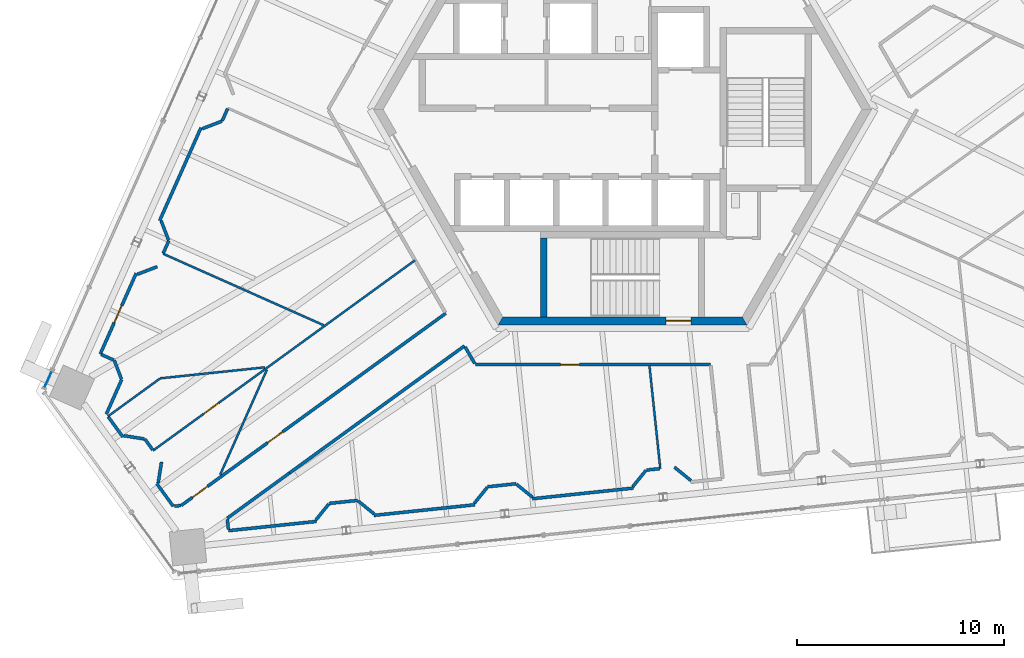
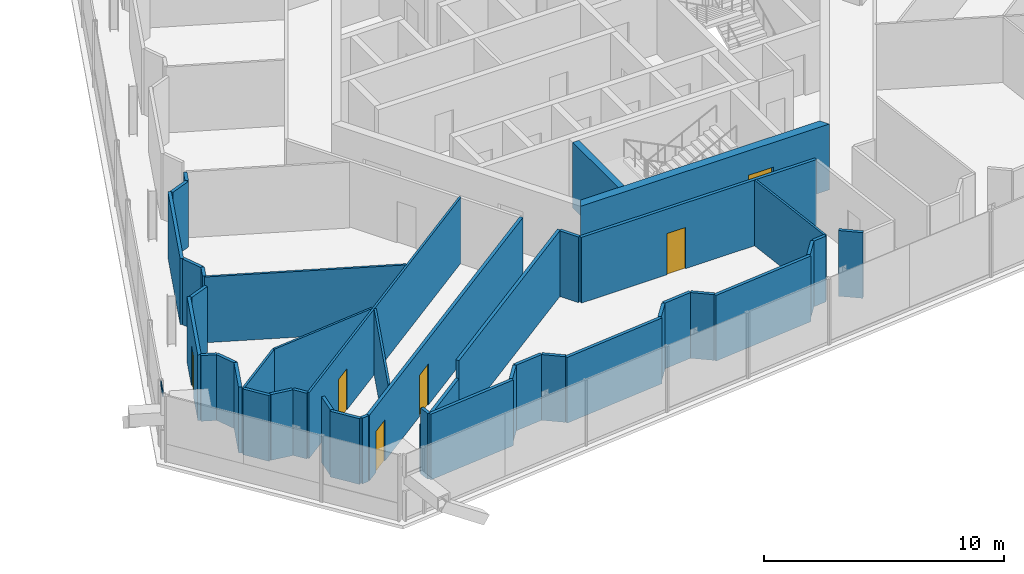
# One storey, part 15 of 26: 42 walls, 6 doors, 1 plate, 6 openings, 1 element without a shape of its own.
"""IFC4 building model written with IfcOpenShell, lengths in metres."""

from ifc_helpers import new_model, si_unit, direction, frame, frame_2d, origin, origin_2d, place, context, subcontext, project, spatial, polyline, rectangle, outline, extrude, source, transform, mapped, material, layer, layer_set, type_object, element, fill, aggregate, save


model = new_model("IFC4")

# Units and contexts
model_context = context("Model", 3, precision=1e-05, world=origin(), true_north=direction((0.0, 1.0)))
body_context = subcontext(model_context, "Body", "Model", "MODEL_VIEW")
ifc_project = project(units=[si_unit("LENGTHUNIT", "METRE"), si_unit("AREAUNIT", "SQUARE_METRE"), si_unit("VOLUMEUNIT", "CUBIC_METRE"), si_unit("PLANEANGLEUNIT", "RADIAN"), si_unit("MASSUNIT", "GRAM", prefix="KILO")], contexts=[model_context])

# Site, building, storey
site_placement = place(None, origin())
site = spatial("IfcSite", under=ifc_project, at=site_placement, CompositionType="ELEMENT")
building_placement = place(site_placement, origin())
building = spatial("IfcBuilding", under=site, at=building_placement, Name="Triune Harvest Tower", CompositionType="ELEMENT")
storey_placement = place(building_placement, frame((0.0, 0.0, 252.10009765625)))
storey = spatial("IfcBuildingStorey", under=building, at=storey_placement, Name="L66", CompositionType="ELEMENT", Elevation=252.10009765625)

# Curtain wall, plate
ifc_material_1 = material(Name="Aluminium bronze anodised", Category="aluminium")
curtain_wall_type = type_object("IfcCurtainWallType", Name="CW-1 Tower stick curtain wall", PredefinedType="NOTDEFINED", material=ifc_material_1)
curtain_wall_placement = place(storey_placement, origin())
curtain_wall = element("IfcCurtainWall", 1, at=curtain_wall_placement, inside=storey, type_object=curtain_wall_type, Name="CW-1 B6-F3 L66 run 401")
ifc_material_2 = material(Name="Glass", Category="glass")
ifc_layer_1 = layer(ifc_material_2, 0.031982421875)
ifc_layer_set_1 = layer_set([ifc_layer_1], Name="Glass")
plate_type = type_object("IfcPlateType", Name="GL-1 panel 32", PredefinedType="CURTAIN_PANEL", material=ifc_layer_set_1)
plate_placement = place(storey_placement, frame((-27.69091796875, -13.013916015625, 3.134765625), z_axis=(0.0, 0.0, 1.0), x_axis=(-0.406715509478, -0.913554866634, 0.0)))
plate = element("IfcPlate", 2, at=plate_placement, type_object=plate_type, Name="CW-1 panel B6-F3 401.1", PredefinedType="CURTAIN_PANEL", context=body_context, shape_type="SweptSolid", body=[
    extrude(rectangle(XDim=0.8466796875, YDim=0.031982421875, at=origin_2d()), origin(), (0.0, 0.0, 1.0), 0.215087890625),
])
aggregate(curtain_wall, [plate])

# Walls
ifc_material_3 = material(Name="Gypsum board on steel studs", Category="steel")
ifc_layer_2 = layer(ifc_material_3, 0.14990234375)
ifc_layer_set_2 = layer_set([ifc_layer_2], Name="Gypsum board on steel studs")
wall_type_1 = type_object("IfcWallType", Name="Fire Partition 150 mm", PredefinedType="PARTITIONING", material=ifc_layer_set_2)
wall_1_placement = place(storey_placement, frame((-19.048095703125, -19.751220703125, 0.0), z_axis=(0.0, 0.0, 1.0), x_axis=(0.104659444829, -0.994508119931, 0.0)))
element("IfcWall", 3, at=wall_1_placement, inside=storey, type_object=wall_type_1, Name="Partition L66 001", PredefinedType="PARTITIONING", context=body_context, shape_type="SweptSolid", body=[
    extrude(rectangle(XDim=0.50146484375, YDim=0.14990234375, at=frame_2d((0.250732421875, 0.0))), origin(), (0.0, 0.0, 1.0), 3.349853515625),
])
wall_2_placement = place(storey_placement, frame((-24.788818359375, -14.812744140625, 0.0), z_axis=(0.0, 0.0, 1.0), x_axis=(0.58775932875, -0.809035828297, 0.0)))
element("IfcWall", 4, at=wall_2_placement, inside=storey, type_object=wall_type_1, Name="Partition L66 024", PredefinedType="PARTITIONING", context=body_context, shape_type="SweptSolid", body=[
    extrude(rectangle(XDim=1.197021484375, YDim=0.14990234375, at=frame_2d((0.5986328125, 0.0))), origin(), (0.0, 0.0, 1.0), 3.349853515625),
])
wall_3_placement = place(storey_placement, frame((-23.024169921875, -15.88330078125, 0.0), z_axis=(0.0, 0.0, 1.0), x_axis=(0.587795827483, -0.809009310944, 0.0)))
element("IfcWall", 5, at=wall_3_placement, inside=storey, type_object=wall_type_1, Name="Partition L66 026", PredefinedType="PARTITIONING", context=body_context, shape_type="SweptSolid", body=[
    extrude(rectangle(XDim=0.65673828125, YDim=0.14990234375, at=frame_2d((0.328369140625, 0.0))), origin(), (0.0, 0.0, 1.0), 3.349853515625),
])

# Wall, opening, door
wall_4_placement = place(storey_placement, frame((-7.096923828125, -12.292236328125, 0.0), z_axis=(0.0, 0.0, 1.0), x_axis=(1.0, 0.0, 0.0)))
wall_4 = element("IfcWall", 6, at=wall_4_placement, inside=storey, type_object=wall_type_1, Name="Partition L66 066", PredefinedType="PARTITIONING", context=body_context, shape_type="SweptSolid", body=[
    extrude(rectangle(XDim=11.3447265625, YDim=0.14990234375, at=frame_2d((5.67236328125, 0.0))), origin(), (0.0, 0.0, 1.0), 3.349853515625),
])
opening_1_placement = place(wall_4_placement, frame((4.1171875, 0.0, 0.0)))
opening_1 = element("IfcOpeningElement", 7, at=opening_1_placement, cuts=wall_4, Name="Opening L66-022", PredefinedType="OPENING", context=body_context, shape_type="SweptSolid", body=[
    extrude(rectangle(XDim=0.89990234375, YDim=2.10009765625, at=frame_2d((0.449951171875, 1.050048828125))), frame((0.0, 0.0849609375, 0.0), z_axis=(0.0, -1.0, 0.0), x_axis=(1.0, 0.0, 0.0)), (0.0, 0.0, 1.0), 0.169921875),
])
ifc_material_4 = material(Name="Timber and steel door set", Category="steel")
door_type_1 = type_object("IfcDoorType", Name="Single leaf door FD30 right hand 900 x 2100", OperationType="SINGLE_SWING_RIGHT", PredefinedType="DOOR", material=ifc_material_4)
door_1_placement = place(opening_1_placement, origin())
door_1 = element("IfcDoor", 8, at=door_1_placement, inside=storey, type_object=door_type_1, Name="Door L66-022 Open Office 66.22", OperationType="SINGLE_SWING_RIGHT", OverallHeight=2.10009765625, OverallWidth=0.89990234375, PredefinedType="DOOR", context=body_context, shape_type="SweptSolid", body=[
    extrude(rectangle(XDim=0.89990234375, YDim=2.10009765625, at=frame_2d((0.449951171875, 1.050048828125))), frame((0.0, 0.02490234375, 0.0), z_axis=(0.0, -1.0, 0.0), x_axis=(1.0, 0.0, 0.0)), (0.0, 0.0, 1.0), 0.050048828125),
])
fill(opening_1, door_1)

# Walls
wall_5_placement = place(storey_placement, frame((1.16943359375, -17.3779296875, 0.0), z_axis=(0.0, 0.0, 1.0), x_axis=(0.994539539625, 0.104360452866, 0.0)))
element("IfcWall", 9, at=wall_5_placement, inside=storey, type_object=wall_type_1, Name="Partition L66 079", PredefinedType="PARTITIONING", context=body_context, shape_type="SweptSolid", body=[
    extrude(rectangle(XDim=0.626953125, YDim=0.14990234375, at=frame_2d((0.3134765625, 0.0))), origin(), (0.0, 0.0, 1.0), 3.349853515625),
])
wall_6_placement = place(storey_placement, frame((-19.05322265625, -19.70166015625, 0.0), z_axis=(0.0, 0.0, 1.0), x_axis=(0.808997819801, 0.587811642924, 0.0)))
element("IfcWall", 10, at=wall_6_placement, inside=storey, type_object=wall_type_1, Name="Partition L66 100", PredefinedType="PARTITIONING", context=body_context, shape_type="SweptSolid", body=[
    extrude(rectangle(XDim=3.709716796875, YDim=0.14990234375, at=frame_2d((1.85498046875, 0.0))), origin(), (0.0, 0.0, 1.0), 2.435546875),
])
wall_7_placement = place(storey_placement, frame((-16.052001953125, -17.52099609375, 0.0), z_axis=(0.0, 0.0, 1.0), x_axis=(0.809022532858, 0.587777629149, 0.0)))
element("IfcWall", 11, at=wall_7_placement, inside=storey, type_object=wall_type_1, Name="Partition L66 100a", PredefinedType="PARTITIONING", context=body_context, shape_type="SweptSolid", body=[
    extrude(rectangle(XDim=10.4267578125, YDim=0.14990234375, at=frame_2d((5.21337890625, 0.0))), origin(), (0.0, 0.0, 1.0), 3.349853515625),
])

# Wall, openings, doors
wall_8_placement = place(storey_placement, frame((-21.267578125, -19.085693359375, 0.0), z_axis=(0.0, 0.0, 1.0), x_axis=(0.809012074243, 0.587792024214, 0.0)))
wall_8 = element("IfcWall", 12, at=wall_8_placement, inside=storey, type_object=wall_type_1, Name="Partition L66 102", PredefinedType="PARTITIONING", context=body_context, shape_type="SweptSolid", body=[
    extrude(rectangle(XDim=15.755126953125, YDim=0.14990234375, at=frame_2d((7.87744140625, 0.0))), origin(), (0.0, 0.0, 1.0), 3.349853515625),
])
opening_2_placement = place(wall_8_placement, frame((0.6669921875, 0.0, 0.0)))
opening_2 = element("IfcOpeningElement", 13, at=opening_2_placement, cuts=wall_8, Name="Opening L66-020", PredefinedType="OPENING", context=body_context, shape_type="SweptSolid", body=[
    extrude(rectangle(XDim=0.89990234375, YDim=2.10009765625, at=frame_2d((0.449951171875, 1.050048828125))), frame((0.0, 0.0849609375, 0.0), z_axis=(0.0, -1.0, 0.0), x_axis=(1.0, 0.0, 0.0)), (0.0, 0.0, 1.0), 0.169921875),
])
opening_3_placement = place(wall_8_placement, frame((5.14208984375, 0.0, 0.0)))
opening_3 = element("IfcOpeningElement", 14, at=opening_3_placement, cuts=wall_8, Name="Opening L66-021", PredefinedType="OPENING", context=body_context, shape_type="SweptSolid", body=[
    extrude(rectangle(XDim=0.89990234375, YDim=2.10009765625, at=frame_2d((0.449951171875, 1.050048828125))), frame((0.0, 0.0849609375, 0.0), z_axis=(0.0, -1.0, 0.0), x_axis=(1.0, 0.0, 0.0)), (0.0, 0.0, 1.0), 0.169921875),
])
ifc_material_5 = material(Name="Timber and steel door set", Category="steel")
door_type_2 = type_object("IfcDoorType", Name="Single leaf door FD30 left hand 900 x 2100", OperationType="SINGLE_SWING_LEFT", PredefinedType="DOOR", material=ifc_material_5)
door_2_placement = place(opening_2_placement, origin())
door_2 = element("IfcDoor", 15, at=door_2_placement, inside=storey, type_object=door_type_2, Name="Door L66-020 Reception 66.20", OperationType="SINGLE_SWING_LEFT", OverallHeight=2.10009765625, OverallWidth=0.89990234375, PredefinedType="DOOR", context=body_context, shape_type="SweptSolid", body=[
    extrude(rectangle(XDim=0.89990234375, YDim=2.10009765625, at=frame_2d((0.449951171875, 1.050048828125))), frame((0.0, 0.02490234375, 0.0), z_axis=(0.0, -1.0, 0.0), x_axis=(1.0, 0.0, 0.0)), (0.0, 0.0, 1.0), 0.050048828125),
])
fill(opening_2, door_2)
door_3_placement = place(opening_3_placement, origin())
door_3 = element("IfcDoor", 16, at=door_3_placement, inside=storey, type_object=door_type_2, Name="Door L66-021 Dry Store Room 66.21", OperationType="SINGLE_SWING_LEFT", OverallHeight=2.10009765625, OverallWidth=0.89990234375, PredefinedType="DOOR", context=body_context, shape_type="SweptSolid", body=[
    extrude(rectangle(XDim=0.89990234375, YDim=2.10009765625, at=frame_2d((0.449951171875, 1.050048828125))), frame((0.0, 0.02490234375, 0.0), z_axis=(0.0, -1.0, 0.0), x_axis=(1.0, 0.0, 0.0)), (0.0, 0.0, 1.0), 0.050048828125),
])
fill(opening_3, door_3)

# Walls
wall_9_placement = place(storey_placement, frame((-22.1376953125, -6.927978515625, 0.0), z_axis=(0.0, 0.0, 1.0), x_axis=(0.406894764697, 0.913475040963, 0.0)))
element("IfcWall", 17, at=wall_9_placement, inside=storey, type_object=wall_type_1, Name="Partition L66 127", PredefinedType="PARTITIONING", context=body_context, shape_type="SweptSolid", body=[
    extrude(rectangle(XDim=0.65869140625, YDim=0.14990234375, at=frame_2d((0.329345703125, 0.0))), origin(), (0.0, 0.0, 1.0), 3.349853515625),
])
ifc_material_6 = material(Name="Gypsum board on steel studs", Category="steel")
ifc_layer_3 = layer(ifc_material_6, 0.10009765625)
ifc_layer_set_3 = layer_set([ifc_layer_3], Name="Gypsum board on steel studs")
wall_type_2 = type_object("IfcWallType", Name="Partition 100 mm", PredefinedType="PARTITIONING", material=ifc_layer_set_3)
wall_10_placement = place(storey_placement, frame((-22.1474609375, -6.95166015625, 0.0), z_axis=(0.0, 0.0, 1.0), x_axis=(0.913545346188, -0.406736893407, 0.0)))
element("IfcWall", 18, at=wall_10_placement, inside=storey, type_object=wall_type_2, Name="Partition L66 048", PredefinedType="PARTITIONING", context=body_context, shape_type="SweptSolid", body=[
    extrude(rectangle(XDim=8.477783203125, YDim=0.10009765625, at=frame_2d((4.23876953125, 0.0))), origin(), (0.0, 0.0, 1.0), 3.349853515625),
])
wall_11_placement = place(storey_placement, frame((-24.804443359375, -14.791015625, 0.0), z_axis=(0.0, 0.0, 1.0), x_axis=(0.809011061408, 0.587793418234, 0.0)))
element("IfcWall", 19, at=wall_11_placement, inside=storey, type_object=wall_type_2, Name="Partition L66 105", PredefinedType="PARTITIONING", context=body_context, shape_type="SweptSolid", body=[
    extrude(rectangle(XDim=3.10888671875, YDim=0.10009765625, at=frame_2d((1.554443359375, 0.0))), origin(), (0.0, 0.0, 1.0), 3.349853515625),
])
wall_12_placement = place(storey_placement, frame((-19.392578125, -17.60009765625, 0.0), z_axis=(0.0, 0.0, 1.0), x_axis=(0.406728288656, 0.913549177224, 0.0)))
element("IfcWall", 20, at=wall_12_placement, inside=storey, type_object=wall_type_2, Name="Partition L66 123", PredefinedType="PARTITIONING", context=body_context, shape_type="SweptSolid", body=[
    extrude(rectangle(XDim=5.529541015625, YDim=0.10009765625, at=frame_2d((2.7646484375, 0.0))), origin(), (0.0, 0.0, 1.0), 3.349853515625),
])

# Wall, opening, door
ifc_material_7 = material(Name="Concrete 70 MPa", Category="concrete")
ifc_layer_4 = layer(ifc_material_7, 0.39990234375)
ifc_layer_set_4 = layer_set([ifc_layer_4], Name="Concrete 70 MPa")
wall_type_3 = type_object("IfcWallType", Name="Core wall 400", PredefinedType="SHEAR", material=ifc_layer_set_4)
shared_shape_1 = source(origin(), body_context, "Body", "SweptSolid", [
    extrude(outline(polyline([(-0.115478515625, -0.199951171875), (11.884521484375, -0.199951171875), (11.653564453125, 0.199951171875), (0.115478515625, 0.199951171875), (-0.115478515625, -0.199951171875)])), origin(), (0.0, 0.0, 1.0), 3.349853515625),
])
wall_13_placement = place(storey_placement, frame((-5.884521484375, -10.1923828125, 0.0), z_axis=(0.0, 0.0, 1.0), x_axis=(1.0, 0.0, 0.0)))
wall_13 = element("IfcWall", 21, at=wall_13_placement, inside=storey, type_object=wall_type_3, Name="Hexagon 4 wall", PredefinedType="SHEAR", context=body_context, shape_type="MappedRepresentation", body=[
    mapped(shared_shape_1, transform((0.0, 0.0, 0.0), scale=1.0)),
])
opening_4_placement = place(wall_13_placement, frame((7.984619140625, 0.0, 0.0)))
opening_4 = element("IfcOpeningElement", 22, at=opening_4_placement, cuts=wall_13, Name="Opening CD-S2P", PredefinedType="OPENING", context=body_context, shape_type="SweptSolid", body=[
    extrude(rectangle(XDim=1.199951171875, YDim=2.10009765625, at=frame_2d((0.60009765625, 1.050048828125))), frame((0.0, 0.2099609375, 0.0), z_axis=(0.0, -1.0, 0.0), x_axis=(1.0, 0.0, 0.0)), (0.0, 0.0, 1.0), 0.419921875),
])
ifc_material_8 = material(Name="Steel S235", Category="steel")
door_type_3 = type_object("IfcDoorType", Name="Stair door 1200 FD120", OperationType="SINGLE_SWING_LEFT", PredefinedType="DOOR", material=ifc_material_8)
door_4_placement = place(opening_4_placement, frame((1.199951171875, 0.0, 0.0), z_axis=(0.0, 0.0, 1.0), x_axis=(-1.0, 0.0, 0.0)))
door_4 = element("IfcDoor", 23, at=door_4_placement, inside=storey, type_object=door_type_3, Name="Door CD-S2P", OperationType="SINGLE_SWING_RIGHT", OverallHeight=2.10009765625, OverallWidth=1.199951171875, PredefinedType="DOOR", context=body_context, shape_type="SweptSolid", body=[
    extrude(rectangle(XDim=1.199951171875, YDim=2.10009765625, at=frame_2d((0.60009765625, 1.050048828125))), frame((0.0, 0.02490234375, 0.0), z_axis=(0.0, -1.0, 0.0), x_axis=(1.0, 0.0, 0.0)), (0.0, 0.0, 1.0), 0.050048828125),
])
fill(opening_4, door_4)

# Walls
ifc_material_9 = material(Name="Concrete 70 MPa", Category="concrete")
ifc_layer_5 = layer(ifc_material_9, 0.300048828125)
ifc_layer_set_5 = layer_set([ifc_layer_5], Name="Concrete 70 MPa")
wall_type_4 = type_object("IfcWallType", Name="Core wall 300", PredefinedType="SHEAR", material=ifc_layer_set_5)
shared_shape_2 = source(origin(), body_context, "Body", "SweptSolid", [
    extrude(outline(polyline([(3.800048828125, -0.14990234375), (-0.00439453125, -0.14990234375), (-0.00439453125, 0.14990234375), (3.800048828125, 0.14990234375), (3.800048828125, -0.14990234375)])), origin(), (0.0, 0.0, 1.0), 3.349853515625),
])
wall_14_placement = place(storey_placement, frame((-3.800048828125, -9.989990234375, 0.0), z_axis=(0.0, 0.0, 1.0), x_axis=(0.0, 1.0, 0.0)))
element("IfcWall", 24, at=wall_14_placement, inside=storey, type_object=wall_type_4, Name="Stair s west wall", PredefinedType="SHEAR", context=body_context, shape_type="MappedRepresentation", body=[
    mapped(shared_shape_2, transform((0.0, 0.0, 0.0), scale=1.0)),
])
shared_shape_3 = source(origin(), body_context, "Body", "SweptSolid", [
    extrude(rectangle(XDim=0.96826171875, YDim=0.14990234375, at=frame_2d((0.484130859375, 0.0))), origin(), (0.0, 0.0, 1.0), 3.349853515625),
])
wall_15_placement = place(storey_placement, frame((-24.498779296875, -12.0888671875, 0.0), z_axis=(0.0, 0.0, 1.0), x_axis=(0.358269387117, -0.933618255099, 0.0)))
element("IfcWall", 25, at=wall_15_placement, inside=storey, type_object=wall_type_1, Name="Partition L66 013", PredefinedType="PARTITIONING", context=body_context, shape_type="MappedRepresentation", body=[
    mapped(shared_shape_3, transform((0.0, 0.0, 0.0), scale=1.0)),
])
shared_shape_4 = source(origin(), body_context, "Body", "SweptSolid", [
    extrude(rectangle(XDim=4.985107421875, YDim=0.10009765625, at=frame_2d((2.49267578125, 0.0))), origin(), (0.0, 0.0, 1.0), 3.349853515625),
])
wall_16_placement = place(storey_placement, frame((1.29833984375, -12.35205078125, 0.0), z_axis=(0.0, 0.0, 1.0), x_axis=(0.104511426874, -0.994523685818, 0.0)))
element("IfcWall", 26, at=wall_16_placement, inside=storey, type_object=wall_type_2, Name="Partition L66 004", PredefinedType="PARTITIONING", context=body_context, shape_type="MappedRepresentation", body=[
    mapped(shared_shape_4, transform((0.0, 0.0, 0.0), scale=1.0)),
])
shared_shape_5 = source(origin(), body_context, "Body", "SweptSolid", [
    extrude(rectangle(XDim=0.65966796875, YDim=0.14990234375, at=frame_2d((0.329833984375, 0.0))), origin(), (0.0, 0.0, 1.0), 3.349853515625),
])
wall_17_placement = place(storey_placement, frame((-25.12890625, -11.808349609375, 0.0), z_axis=(0.0, 0.0, 1.0), x_axis=(0.913521304036, -0.406790888629, 0.0)))
element("IfcWall", 27, at=wall_17_placement, inside=storey, type_object=wall_type_1, Name="Partition L66 047", PredefinedType="PARTITIONING", context=body_context, shape_type="MappedRepresentation", body=[
    mapped(shared_shape_5, transform((0.0, 0.0, 0.0), scale=1.0)),
])
shared_shape_6 = source(origin(), body_context, "Body", "SweptSolid", [
    extrude(rectangle(XDim=0.999267578125, YDim=0.14990234375, at=frame_2d((0.49951171875, 0.0))), origin(), (0.0, 0.0, 1.0), 3.349853515625),
])
for number, where, z_axis, x_axis, name in (
    (28, (-22.238525390625, -5.36669921875, 0.0), (0.0, 0.0, 1.0), (0.358422361223, -0.933559537992, 0.0), "Partition L66 014"),
    (29, (-12.75244140625, -18.86279296875, 0.0), (0.0, 0.0, 1.0), (0.777136762285, -0.629331750911, 0.0), "Partition L66 041"),
    (30, (-7.1455078125, -18.98388671875, 0.0), (0.0, 0.0, 1.0), (0.629331750911, 0.777136762285, 0.0), "Partition L66 115"),
):
    element("IfcWall", number, at=place(storey_placement, frame(where, z_axis=z_axis, x_axis=x_axis)), inside=storey, type_object=wall_type_1, Name=name, PredefinedType="PARTITIONING", context=body_context, shape_type="MappedRepresentation", body=[
        mapped(shared_shape_6, transform((0.0, 0.0, 0.0), scale=1.0)),
    ])
shared_shape_7 = source(origin(), body_context, "Body", "SweptSolid", [
    extrude(rectangle(XDim=0.998779296875, YDim=0.14990234375, at=frame_2d((0.49951171875, 0.0))), origin(), (0.0, 0.0, 1.0), 3.349853515625),
])
wall_18_placement = place(storey_placement, frame((-24.040283203125, -15.722412109375, 0.0), z_axis=(0.0, 0.0, 1.0), x_axis=(0.987689531031, -0.15642694874, 0.0)))
element("IfcWall", 31, at=wall_18_placement, inside=storey, type_object=wall_type_1, Name="Partition L66 061", PredefinedType="PARTITIONING", context=body_context, shape_type="MappedRepresentation", body=[
    mapped(shared_shape_7, transform((0.0, 0.0, 0.0), scale=1.0)),
])
shared_shape_8 = source(origin(), body_context, "Body", "SweptSolid", [
    extrude(rectangle(XDim=0.92919921875, YDim=0.14990234375, at=frame_2d((0.464599609375, 0.0))), origin(), (0.0, 0.0, 1.0), 3.349853515625),
])
wall_19_placement = place(storey_placement, frame((-7.586181640625, -11.444580078125, 0.0), z_axis=(0.0, 0.0, 1.0), x_axis=(0.500010545262, -0.866019315389, 0.0)))
element("IfcWall", 32, at=wall_19_placement, inside=storey, type_object=wall_type_1, Name="Partition L66 021", PredefinedType="PARTITIONING", context=body_context, shape_type="MappedRepresentation", body=[
    mapped(shared_shape_8, transform((0.0, 0.0, 0.0), scale=1.0)),
])
shared_shape_9 = source(origin(), body_context, "Body", "SweptSolid", [
    extrude(rectangle(XDim=1.35595703125, YDim=0.14990234375, at=frame_2d((0.677978515625, 0.0))), origin(), (0.0, 0.0, 1.0), 3.349853515625),
])
wall_20_placement = place(storey_placement, frame((-22.45166015625, -18.029541015625, 0.0), z_axis=(0.0, 0.0, 1.0), x_axis=(0.587861190829, -0.808961816353, 0.0)))
element("IfcWall", 33, at=wall_20_placement, inside=storey, type_object=wall_type_1, Name="Partition L66 025", PredefinedType="PARTITIONING", context=body_context, shape_type="MappedRepresentation", body=[
    mapped(shared_shape_9, transform((0.0, 0.0, 0.0), scale=1.0)),
])
shared_shape_10 = source(origin(), body_context, "Body", "SweptSolid", [
    extrude(rectangle(XDim=5.076904296875, YDim=0.10009765625, at=frame_2d((2.53857421875, 0.0))), origin(), (0.0, 0.0, 1.0), 3.349853515625),
])
wall_21_placement = place(storey_placement, frame((-22.281005859375, -12.957763671875, 0.0), z_axis=(0.0, 0.0, 1.0), x_axis=(0.994525197735, 0.104497038571, 0.0)))
element("IfcWall", 34, at=wall_21_placement, inside=storey, type_object=wall_type_2, Name="Partition L66 084", PredefinedType="PARTITIONING", context=body_context, shape_type="MappedRepresentation", body=[
    mapped(shared_shape_10, transform((0.0, 0.0, 0.0), scale=1.0)),
])
shared_shape_11 = source(origin(), body_context, "Body", "SweptSolid", [
    extrude(rectangle(XDim=0.319091796875, YDim=0.14990234375, at=frame_2d((0.15966796875, 0.0))), origin(), (0.0, 0.0, 1.0), 3.349853515625),
])
wall_22_placement = place(storey_placement, frame((-21.605712890625, -19.1201171875, 0.0), z_axis=(0.0, 0.0, 1.0), x_axis=(0.99457232216, 0.104047566011, 0.0)))
element("IfcWall", 35, at=wall_22_placement, inside=storey, type_object=wall_type_1, Name="Partition L66 082", PredefinedType="PARTITIONING", context=body_context, shape_type="MappedRepresentation", body=[
    mapped(shared_shape_11, transform((0.0, 0.0, 0.0), scale=1.0)),
])
shared_shape_12 = source(origin(), body_context, "Body", "SweptSolid", [
    extrude(rectangle(XDim=1.8212890625, YDim=0.14990234375, at=frame_2d((0.91064453125, 0.0))), origin(), (0.0, 0.0, 1.0), 3.349853515625),
])
wall_23_placement = place(storey_placement, frame((-24.882080078125, -14.6845703125, 0.0), z_axis=(0.0, 0.0, 1.0), x_axis=(0.406710521347, 0.913557087338, 0.0)))
element("IfcWall", 36, at=wall_23_placement, inside=storey, type_object=wall_type_1, Name="Partition L66 125", PredefinedType="PARTITIONING", context=body_context, shape_type="MappedRepresentation", body=[
    mapped(shared_shape_12, transform((0.0, 0.0, 0.0), scale=1.0)),
])
shared_shape_13 = source(origin(), body_context, "Body", "SweptSolid", [
    extrude(rectangle(XDim=1.36669921875, YDim=0.14990234375, at=frame_2d((0.683349609375, 0.0))), origin(), (0.0, 0.0, 1.0), 3.349853515625),
])
wall_24_placement = place(storey_placement, frame((-14.135009765625, -18.986083984375, 0.0), z_axis=(0.0, 0.0, 1.0), x_axis=(0.99452403602, 0.104508094319, 0.0)))
element("IfcWall", 37, at=wall_24_placement, inside=storey, type_object=wall_type_1, Name="Partition L66 077", PredefinedType="PARTITIONING", context=body_context, shape_type="MappedRepresentation", body=[
    mapped(shared_shape_13, transform((0.0, 0.0, 0.0), scale=1.0)),
])
shared_shape_14 = source(origin(), body_context, "Body", "SweptSolid", [
    extrude(rectangle(XDim=1.366455078125, YDim=0.14990234375, at=frame_2d((0.68310546875, 0.0))), origin(), (0.0, 0.0, 1.0), 3.349853515625),
])
wall_25_placement = place(storey_placement, frame((-6.49755859375, -18.18359375, 0.0), z_axis=(0.0, 0.0, 1.0), x_axis=(0.994522084335, 0.10452666535, 0.0)))
element("IfcWall", 38, at=wall_25_placement, inside=storey, type_object=wall_type_1, Name="Partition L66 078", PredefinedType="PARTITIONING", context=body_context, shape_type="MappedRepresentation", body=[
    mapped(shared_shape_14, transform((0.0, 0.0, 0.0), scale=1.0)),
])
shared_shape_15 = source(origin(), body_context, "Body", "SweptSolid", [
    extrude(rectangle(XDim=0.99951171875, YDim=0.14990234375, at=frame_2d((0.499755859375, 0.0))), origin(), (0.0, 0.0, 1.0), 3.349853515625),
])
for number, where, z_axis, x_axis, name in (
    (39, (-5.115234375, -18.06005859375, 0.0), (0.0, 0.0, 1.0), (0.777233494114, -0.629212281847, 0.0), "Partition L66 042"),
    (40, (-14.78271484375, -19.786865234375, 0.0), (0.0, 0.0, 1.0), (0.629212281847, 0.777233494114, 0.0), "Partition L66 116"),
):
    element("IfcWall", number, at=place(storey_placement, frame(where, z_axis=z_axis, x_axis=x_axis)), inside=storey, type_object=wall_type_1, Name=name, PredefinedType="PARTITIONING", context=body_context, shape_type="MappedRepresentation", body=[
        mapped(shared_shape_15, transform((0.0, 0.0, 0.0), scale=1.0)),
    ])
shared_shape_16 = source(origin(), body_context, "Body", "SweptSolid", [
    extrude(rectangle(XDim=1.029296875, YDim=0.14990234375, at=frame_2d((0.5146484375, 0.0))), origin(), (0.0, 0.0, 1.0), 3.349853515625),
])
wall_26_placement = place(storey_placement, frame((2.498779296875, -17.23828125, 0.0), z_axis=(0.0, 0.0, 1.0), x_axis=(0.777222777206, -0.629225519661, 0.0)))
element("IfcWall", 41, at=wall_26_placement, inside=storey, type_object=wall_type_1, Name="Partition L66 043", PredefinedType="PARTITIONING", context=body_context, shape_type="MappedRepresentation", body=[
    mapped(shared_shape_16, transform((0.0, 0.0, 0.0), scale=1.0)),
])
shared_shape_17 = source(origin(), body_context, "Body", "SweptSolid", [
    extrude(rectangle(XDim=1.029052734375, YDim=0.14990234375, at=frame_2d((0.5146484375, 0.0))), origin(), (0.0, 0.0, 1.0), 3.349853515625),
])
for number, where, z_axis, x_axis, name in (
    (42, (-20.2626953125, -0.929443359375, 0.0), (0.0, 0.0, 1.0), (0.933461721896, 0.358677032657, 0.0), "Partition L66 091"),
    (43, (-22.3818359375, -18.00537109375, 0.0), (0.0, 0.0, 1.0), (0.15635243246, 0.987701329787, 0.0), "Partition L66 144"),
):
    element("IfcWall", number, at=place(storey_placement, frame(where, z_axis=z_axis, x_axis=x_axis)), inside=storey, type_object=wall_type_1, Name=name, PredefinedType="PARTITIONING", context=body_context, shape_type="MappedRepresentation", body=[
        mapped(shared_shape_17, transform((0.0, 0.0, 0.0), scale=1.0)),
    ])

# Wall, opening, door
shared_shape_18 = source(origin(), body_context, "Body", "SweptSolid", [
    extrude(rectangle(XDim=15.602783203125, YDim=0.10009765625, at=frame_2d((7.80126953125, 0.0))), origin(), (0.0, 0.0, 1.0), 3.349853515625),
])
wall_27_placement = place(storey_placement, frame((-22.622314453125, -16.436279296875, 0.0), z_axis=(0.0, 0.0, 1.0), x_axis=(0.809005299906, 0.587801348012, 0.0)))
wall_27 = element("IfcWall", 44, at=wall_27_placement, inside=storey, type_object=wall_type_2, Name="Partition L66 104", PredefinedType="PARTITIONING", context=body_context, shape_type="MappedRepresentation", body=[
    mapped(shared_shape_18, transform((0.0, 0.0, 0.0), scale=1.0)),
])
opening_5_placement = place(wall_27_placement, frame((2.997314453125, 0.0, 0.0)))
opening_5 = element("IfcOpeningElement", 45, at=opening_5_placement, cuts=wall_27, Name="Opening L66-019", PredefinedType="OPENING", context=body_context, shape_type="SweptSolid", body=[
    extrude(rectangle(XDim=0.89990234375, YDim=2.10009765625, at=frame_2d((0.449951171875, 1.050048828125))), frame((0.0, 0.06005859375, 0.0), z_axis=(0.0, -1.0, 0.0), x_axis=(1.0, 0.0, 0.0)), (0.0, 0.0, 1.0), 0.1201171875),
])
ifc_material_10 = material(Name="Timber and steel door set", Category="steel")
door_type_4 = type_object("IfcDoorType", Name="Single leaf door left hand 900 x 2100", OperationType="SINGLE_SWING_LEFT", PredefinedType="DOOR", material=ifc_material_10)
door_5_placement = place(opening_5_placement, origin())
door_5 = element("IfcDoor", 46, at=door_5_placement, inside=storey, type_object=door_type_4, Name="Door L66-019 Office 66.19", OperationType="SINGLE_SWING_LEFT", OverallHeight=2.10009765625, OverallWidth=0.89990234375, PredefinedType="DOOR", context=body_context, shape_type="SweptSolid", body=[
    extrude(rectangle(XDim=0.89990234375, YDim=2.10009765625, at=frame_2d((0.449951171875, 1.050048828125))), frame((0.0, 0.02490234375, 0.0), z_axis=(0.0, -1.0, 0.0), x_axis=(1.0, 0.0, 0.0)), (0.0, 0.0, 1.0), 0.050048828125),
])
fill(opening_5, door_5)

# Wall
shared_shape_19 = source(origin(), body_context, "Body", "SweptSolid", [
    extrude(rectangle(XDim=4.260498046875, YDim=0.14990234375, at=frame_2d((2.13037109375, 0.0))), origin(), (0.0, 0.0, 1.0), 3.349853515625),
])
wall_28_placement = place(storey_placement, frame((-18.989990234375, -20.300048828125, 0.0), z_axis=(0.0, 0.0, 1.0), x_axis=(0.994522395776, 0.104523702097, 0.0)))
element("IfcWall", 47, at=wall_28_placement, inside=storey, type_object=wall_type_1, Name="Partition L66 070", PredefinedType="PARTITIONING", context=body_context, shape_type="MappedRepresentation", body=[
    mapped(shared_shape_19, transform((0.0, 0.0, 0.0), scale=1.0)),
])

# Wall, opening, door
wall_29_placement = place(storey_placement, frame((-25.1748046875, -11.787841796875, 0.0), z_axis=(0.0, 0.0, 1.0), x_axis=(0.406744500489, 0.913541959256, 0.0)))
wall_29 = element("IfcWall", 48, at=wall_29_placement, inside=storey, type_object=wall_type_1, Name="Partition L66 132", PredefinedType="PARTITIONING", context=body_context, shape_type="MappedRepresentation", body=[
    mapped(shared_shape_19, transform((0.0, 0.0, 0.0), scale=1.0)),
])
opening_6_placement = place(wall_29_placement, frame((1.64990234375, 0.0, 0.0)))
opening_6 = element("IfcOpeningElement", 49, at=opening_6_placement, cuts=wall_29, Name="Opening L66-018", PredefinedType="OPENING", context=body_context, shape_type="SweptSolid", body=[
    extrude(rectangle(XDim=0.89990234375, YDim=2.10009765625, at=frame_2d((0.449951171875, 1.050048828125))), frame((0.0, 0.0849609375, 0.0), z_axis=(0.0, -1.0, 0.0), x_axis=(1.0, 0.0, 0.0)), (0.0, 0.0, 1.0), 0.169921875),
])
door_6_placement = place(opening_6_placement, origin())
door_6 = element("IfcDoor", 50, at=door_6_placement, inside=storey, type_object=door_type_1, Name="Door L66-018 Open Office 66.18", OperationType="SINGLE_SWING_RIGHT", OverallHeight=2.10009765625, OverallWidth=0.89990234375, PredefinedType="DOOR", context=body_context, shape_type="SweptSolid", body=[
    extrude(rectangle(XDim=0.89990234375, YDim=2.10009765625, at=frame_2d((0.449951171875, 1.050048828125))), frame((0.0, 0.02490234375, 0.0), z_axis=(0.0, -1.0, 0.0), x_axis=(1.0, 0.0, 0.0)), (0.0, 0.0, 1.0), 0.050048828125),
])
fill(opening_6, door_6)

# Walls
shared_shape_20 = source(origin(), body_context, "Body", "SweptSolid", [
    extrude(rectangle(XDim=4.9013671875, YDim=0.14990234375, at=frame_2d((2.45068359375, 0.0))), origin(), (0.0, 0.0, 1.0), 3.349853515625),
])
for number, where, z_axis, x_axis, name in (
    (51, (-11.990234375, -19.564208984375, 0.0), (0.0, 0.0, 1.0), (0.994524541912, 0.104503280023, 0.0), "Partition L66 071"),
    (52, (-22.31201171875, -5.35791015625, 0.0), (0.0, 0.0, 1.0), (0.40675767403, 0.913536093768, 0.0), "Partition L66 133"),
):
    element("IfcWall", number, at=place(storey_placement, frame(where, z_axis=z_axis, x_axis=x_axis)), inside=storey, type_object=wall_type_1, Name=name, PredefinedType="PARTITIONING", context=body_context, shape_type="MappedRepresentation", body=[
        mapped(shared_shape_20, transform((0.0, 0.0, 0.0), scale=1.0)),
    ])
shared_shape_21 = source(origin(), body_context, "Body", "SweptSolid", [
    extrude(rectangle(XDim=4.901123046875, YDim=0.14990234375, at=frame_2d((2.45068359375, 0.0))), origin(), (0.0, 0.0, 1.0), 3.349853515625),
])
wall_30_placement = place(storey_placement, frame((-4.352783203125, -18.761474609375, 0.0), z_axis=(0.0, 0.0, 1.0), x_axis=(0.994518819285, 0.104557726105, 0.0)))
element("IfcWall", 53, at=wall_30_placement, inside=storey, type_object=wall_type_1, Name="Partition L66 072", PredefinedType="PARTITIONING", context=body_context, shape_type="MappedRepresentation", body=[
    mapped(shared_shape_21, transform((0.0, 0.0, 0.0), scale=1.0)),
])
shared_shape_22 = source(origin(), body_context, "Body", "SweptSolid", [
    extrude(rectangle(XDim=1.029541015625, YDim=0.14990234375, at=frame_2d((0.5146484375, 0.0))), origin(), (0.0, 0.0, 1.0), 3.349853515625),
])
for number, where, z_axis, x_axis, name in (
    (54, (-23.386474609375, -7.94482421875, 0.0), (0.0, 0.0, 1.0), (0.933602060542, 0.358311585847, 0.0), "Partition L66 090"),
    (55, (0.491943359375, -18.18115234375, 0.0), (0.0, 0.0, 1.0), (0.629368759194, 0.777106791213, 0.0), "Partition L66 114"),
):
    element("IfcWall", number, at=place(storey_placement, frame(where, z_axis=z_axis, x_axis=x_axis)), inside=storey, type_object=wall_type_1, Name=name, PredefinedType="PARTITIONING", context=body_context, shape_type="MappedRepresentation", body=[
        mapped(shared_shape_22, transform((0.0, 0.0, 0.0), scale=1.0)),
    ])
shared_shape_23 = source(origin(), body_context, "Body", "SweptSolid", [
    extrude(rectangle(XDim=0.62890625, YDim=0.14990234375, at=frame_2d((0.314453125, 0.0))), origin(), (0.0, 0.0, 1.0), 3.349853515625),
])
wall_31_placement = place(storey_placement, frame((-19.29052734375, -0.533935546875, 0.0), z_axis=(0.0, 0.0, 1.0), x_axis=(0.406858755519, 0.9134910799, 0.0)))
element("IfcWall", 56, at=wall_31_placement, inside=storey, type_object=wall_type_1, Name="Partition L66 128", PredefinedType="PARTITIONING", context=body_context, shape_type="MappedRepresentation", body=[
    mapped(shared_shape_23, transform((0.0, 0.0, 0.0), scale=1.0)),
])

save(model, "model.ifc")
